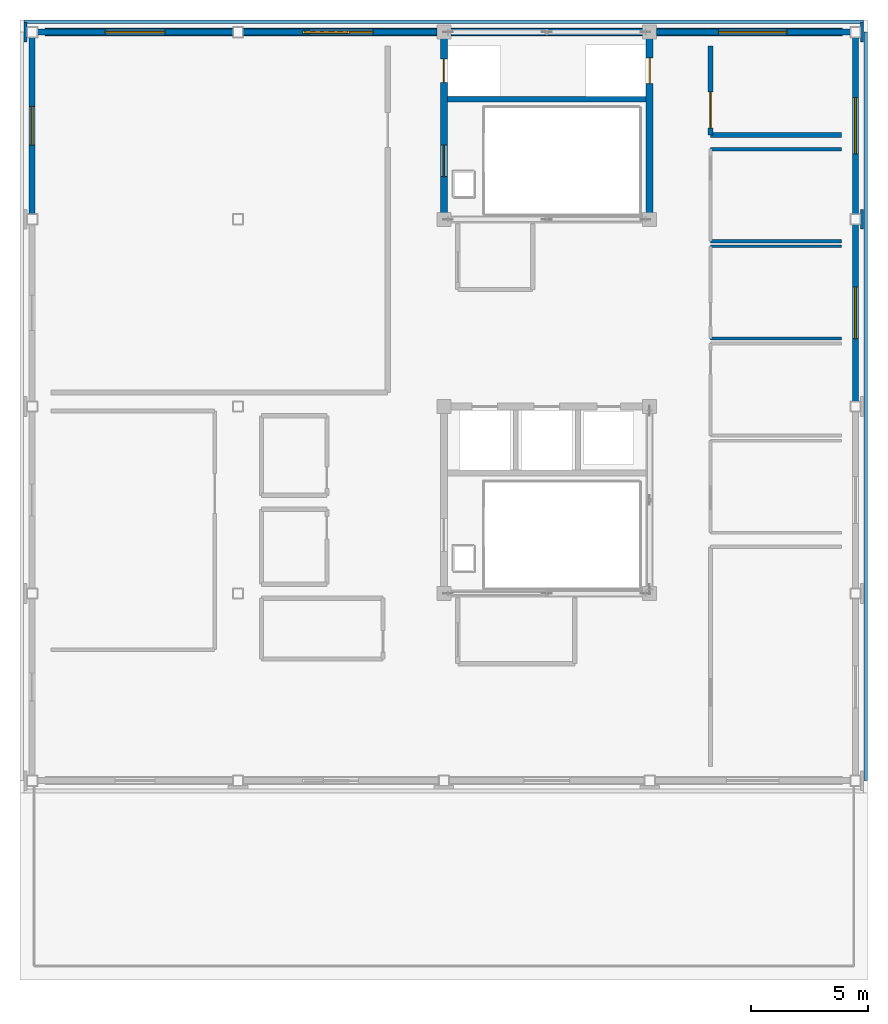
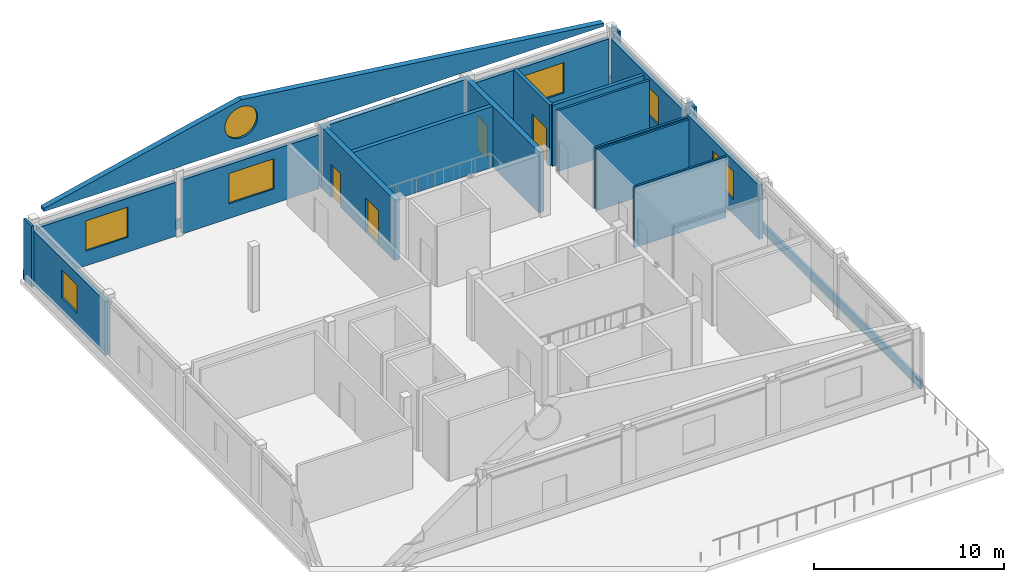
# One storey, part 9 of 10: 22 walls, 7 windows, 4 doors, 11 openings.
"""IFC4 building model written with IfcOpenShell, lengths in metres."""

from ifc_helpers import new_model, si_unit, direction, frame, frame_2d, origin, place, context, subcontext, project, spatial, polyline, rectangle, outline, extrude, material, layer, layer_set, type_object, element, fill, save


model = new_model("IFC4")

# Units and contexts
model_context = context("Model", 3, precision=1e-05, world=origin(), true_north=direction((0.0, 1.0)))
body_context = subcontext(model_context, "Body", "Model", "MODEL_VIEW")
ifc_project = project(units=[si_unit("LENGTHUNIT", "METRE"), si_unit("AREAUNIT", "SQUARE_METRE"), si_unit("VOLUMEUNIT", "CUBIC_METRE"), si_unit("PLANEANGLEUNIT", "RADIAN"), si_unit("MASSUNIT", "GRAM", prefix="KILO")], contexts=[model_context])

# Site, building, storey
site_placement = place(None, origin())
site = spatial("IfcSite", under=ifc_project, at=site_placement, CompositionType="ELEMENT")
building_placement = place(site_placement, origin())
building = spatial("IfcBuilding", under=site, at=building_placement, Name="Zhaolan Boulevard Law Courts", CompositionType="ELEMENT")
storey_placement = place(building_placement, frame((0.0, 0.0, 41.39990234375)))
storey = spatial("IfcBuildingStorey", under=building, at=storey_placement, Name="L09", CompositionType="ELEMENT", Elevation=41.39990234375)

# Wall
ifc_material_1 = material(Name="Concrete C50", Category="concrete")
ifc_layer_1 = layer(ifc_material_1, 0.300048828125)
ifc_layer_set_1 = layer_set([ifc_layer_1])
wall_type_1 = type_object("IfcWallType", Name="CORE SHEAR WALL 300", PredefinedType="SHEAR", material=ifc_layer_set_1)
wall_1_placement = place(storey_placement, frame((26.550048828125, 70.0, 0.0), z_axis=(0.0, 0.0, 1.0), x_axis=(-1.0, 0.0, 0.0)))
element("IfcWall", 1, at=wall_1_placement, inside=storey, type_object=wall_type_1, Name="Core Shear Wall CW-W2-L09N", PredefinedType="SHEAR", context=body_context, shape_type="SweptSolid", body=[
    extrude(rectangle(XDim=9.10009765625, YDim=0.300048828125, at=frame_2d((4.550048828125, 0.0))), origin(), (0.0, 0.0, 1.0), 3.920166015625),
])

# Wall, openings, doors
wall_2_placement = place(storey_placement, frame((17.60009765625, 62.14990234375, 0.0), z_axis=(0.0, 0.0, 1.0), x_axis=(0.0, 1.0, 0.0)))
wall_2 = element("IfcWall", 2, at=wall_2_placement, inside=storey, type_object=wall_type_1, Name="Core Shear Wall CW-W2-L09W", PredefinedType="SHEAR", context=body_context, shape_type="SweptSolid", body=[
    extrude(rectangle(XDim=7.7001953125, YDim=0.300048828125, at=frame_2d((3.85009765625, 0.0))), origin(), (0.0, 0.0, 1.0), 3.920166015625),
])
opening_1_placement = place(wall_2_placement, frame((1.675048828125, 0.0, 0.0)))
opening_1 = element("IfcOpeningElement", 3, at=opening_1_placement, cuts=wall_2, Name="Opening SD-L09-22", PredefinedType="OPENING", context=body_context, shape_type="SweptSolid", body=[
    extrude(rectangle(XDim=1.35009765625, YDim=2.199951171875, at=frame_2d((0.675048828125, 1.10009765625))), frame((0.0, 0.159912109375, 0.0), z_axis=(0.0, -1.0, 0.0), x_axis=(1.0, 0.0, 0.0)), (0.0, 0.0, 1.0), 0.320068359375),
])
opening_2_placement = place(wall_2_placement, frame((5.699951171875, 0.0, 0.0)))
opening_2 = element("IfcOpeningElement", 4, at=opening_2_placement, cuts=wall_2, Name="Opening LD-JL-02-L09", PredefinedType="OPENING", context=body_context, shape_type="SweptSolid", body=[
    extrude(rectangle(XDim=1.0, YDim=2.14990234375, at=frame_2d((0.5, 1.074951171875))), frame((0.0, 0.159912109375, 0.0), z_axis=(0.0, -1.0, 0.0), x_axis=(1.0, 0.0, 0.0)), (0.0, 0.0, 1.0), 0.320068359375),
])
ifc_material_2 = material(Name="Stainless steel sliding landing door", Category="steel")
door_type_1 = type_object("IfcDoorType", Name="LIFT LANDING 1000X2150", OperationType="DOUBLE_DOOR_SLIDING", PredefinedType="DOOR", material=ifc_material_2)
door_1_placement = place(opening_2_placement, origin())
door_1 = element("IfcDoor", 5, at=door_1_placement, inside=storey, type_object=door_type_1, Name="Lift Landing Sliding Door LD-JL-02-L09", OperationType="DOUBLE_DOOR_SLIDING", OverallHeight=2.14990234375, OverallWidth=1.0, PredefinedType="DOOR", context=body_context, shape_type="SweptSolid", body=[
    extrude(rectangle(XDim=1.0, YDim=2.14990234375, at=frame_2d((0.5, 1.074951171875))), frame((0.0, 0.02490234375, 0.0), z_axis=(0.0, -1.0, 0.0), x_axis=(1.0, 0.0, 0.0)), (0.0, 0.0, 1.0), 0.050048828125),
])
fill(opening_2, door_1)
ifc_material_3 = material(Name="Fire-rated steel acoustic door", Category="steel")
door_type_2 = type_object("IfcDoorType", Name="STAIR FIRE 1350X2200 R", OperationType="SINGLE_SWING_RIGHT", PredefinedType="DOOR", material=ifc_material_3)
door_2_placement = place(opening_1_placement, origin())
door_2 = element("IfcDoor", 6, at=door_2_placement, inside=storey, type_object=door_type_2, Name="Smoke-Proof Stairwell Fire Door SD-L09-22", OperationType="SINGLE_SWING_RIGHT", OverallHeight=2.199951171875, OverallWidth=1.35009765625, PredefinedType="DOOR", context=body_context, shape_type="SweptSolid", body=[
    extrude(rectangle(XDim=1.35009765625, YDim=2.199951171875, at=frame_2d((0.675048828125, 1.10009765625))), frame((0.0, 0.02490234375, 0.0), z_axis=(0.0, -1.0, 0.0), x_axis=(1.0, 0.0, 0.0)), (0.0, 0.0, 1.0), 0.050048828125),
])
fill(opening_1, door_2)

# Wall, opening, door
wall_3_placement = place(storey_placement, frame((26.39990234375, 62.14990234375, 0.0), z_axis=(0.0, 0.0, 1.0), x_axis=(0.0, 1.0, 0.0)))
wall_3 = element("IfcWall", 7, at=wall_3_placement, inside=storey, type_object=wall_type_1, Name="Core Shear Wall CW-W2-L09E", PredefinedType="SHEAR", context=body_context, shape_type="SweptSolid", body=[
    extrude(rectangle(XDim=7.7001953125, YDim=0.300048828125, at=frame_2d((3.85009765625, 0.0))), origin(), (0.0, 0.0, 1.0), 3.920166015625),
])
opening_3_placement = place(wall_3_placement, frame((5.64990234375, 0.0, 0.0)))
opening_3 = element("IfcOpeningElement", 8, at=opening_3_placement, cuts=wall_3, Name="Opening LD-FL-03-L09", PredefinedType="OPENING", context=body_context, shape_type="SweptSolid", body=[
    extrude(rectangle(XDim=1.10009765625, YDim=2.14990234375, at=frame_2d((0.550048828125, 1.074951171875))), frame((0.0, 0.159912109375, 0.0), z_axis=(0.0, -1.0, 0.0), x_axis=(1.0, 0.0, 0.0)), (0.0, 0.0, 1.0), 0.320068359375),
])
ifc_material_4 = material(Name="Stainless steel sliding landing door", Category="steel")
door_type_3 = type_object("IfcDoorType", Name="LIFT LANDING 1100X2150", OperationType="DOUBLE_DOOR_SLIDING", PredefinedType="DOOR", material=ifc_material_4)
door_3_placement = place(opening_3_placement, origin())
door_3 = element("IfcDoor", 9, at=door_3_placement, inside=storey, type_object=door_type_3, Name="Lift Landing Sliding Door LD-FL-03-L09", OperationType="DOUBLE_DOOR_SLIDING", OverallHeight=2.14990234375, OverallWidth=1.10009765625, PredefinedType="DOOR", context=body_context, shape_type="SweptSolid", body=[
    extrude(rectangle(XDim=1.10009765625, YDim=2.14990234375, at=frame_2d((0.550048828125, 1.074951171875))), frame((0.0, 0.02490234375, 0.0), z_axis=(0.0, -1.0, 0.0), x_axis=(1.0, 0.0, 0.0)), (0.0, 0.0, 1.0), 0.050048828125),
])
fill(opening_3, door_3)

# Walls
ifc_material_5 = material(Name="Concrete C40", Category="concrete")
ifc_layer_2 = layer(ifc_material_5, 0.139892578125)
ifc_layer_set_2 = layer_set([ifc_layer_2])
wall_type_2 = type_object("IfcWallType", Name="EXT WALL ARCH CLAD140", PredefinedType="SOLIDWALL", material=ifc_layer_set_2)
for number, where, z_axis, x_axis, name in (
    (10, (35.47998046875, 61.580078125, 0.0), (0.0, 0.0, 1.0), (0.0, 1.0, 0.0), "Concrete Column Cloak Pier CPR-209"),
    (11, (-0.280029296875, 69.580078125, 0.0), (0.0, 0.0, 1.0), (0.0, 1.0, 0.0), "Concrete Column Cloak Pier CPR-210"),
    (12, (35.47998046875, 69.580078125, 0.0), (0.0, 0.0, 1.0), (0.0, 1.0, 0.0), "Concrete Column Cloak Pier CPR-211"),
):
    element("IfcWall", number, at=place(storey_placement, frame(where, z_axis=z_axis, x_axis=x_axis)), inside=storey, type_object=wall_type_2, Name=name, PredefinedType="SOLIDWALL", context=body_context, shape_type="SweptSolid", body=[
        extrude(rectangle(XDim=0.83984375, YDim=0.139892578125, at=frame_2d((0.419921875, 0.0))), origin(), (0.0, 0.0, 1.0), 3.940185546875),
    ])
ifc_material_6 = material(Name="Concrete C40", Category="concrete")
ifc_layer_3 = layer(ifc_material_6, 0.159912109375)
ifc_layer_set_3 = layer_set([ifc_layer_3])
wall_type_3 = type_object("IfcWallType", Name="EXT WALL ARCH CLAD160", PredefinedType="SOLIDWALL", material=ifc_layer_set_3)
wall_4_placement = place(storey_placement, frame((35.639892578125, 38.0, 0.0), z_axis=(0.0, 0.0, 1.0), x_axis=(0.0, 1.0, 0.0)))
element("IfcWall", 13, at=wall_4_placement, inside=storey, type_object=wall_type_3, Name="Sculpted Concrete Spandrel Band CBW-199", PredefinedType="SOLIDWALL", context=body_context, shape_type="SweptSolid", body=[
    extrude(rectangle(XDim=32.0, YDim=0.159912109375, at=frame_2d((16.0, 0.0))), origin(), (0.0, 0.0, 1.0), 0.580078125),
])
wall_5_placement = place(storey_placement, frame((35.5400390625, 70.43994140625, 0.0), z_axis=(0.0, 0.0, 1.0), x_axis=(-1.0, 0.0, 0.0)))
element("IfcWall", 14, at=wall_5_placement, inside=storey, type_object=wall_type_3, Name="Sculpted Concrete Spandrel Band CBW-201", PredefinedType="SOLIDWALL", context=body_context, shape_type="SweptSolid", body=[
    extrude(rectangle(XDim=35.880126953125, YDim=0.159912109375, at=frame_2d((17.93994140625, 0.0))), origin(), (0.0, 0.0, 1.0), 0.580078125),
])

# Wall, opening, window
ifc_material_7 = material(Name="Concrete C40", Category="concrete")
ifc_layer_4 = layer(ifc_material_7, 0.260009765625)
ifc_layer_set_4 = layer_set([ifc_layer_4])
wall_type_4 = type_object("IfcWallType", Name="EXT WALL CONCRETE260", PredefinedType="SOLIDWALL", material=ifc_layer_set_4)
wall_6_placement = place(storey_placement, frame((8.5791015625, 70.0, 0.0), z_axis=(0.0, 0.0, 1.0), x_axis=(-1.0, 0.0, 0.0)))
wall_6 = element("IfcWall", 15, at=wall_6_placement, inside=storey, type_object=wall_type_4, Name="Exterior Wall EW-L09-429", PredefinedType="SOLIDWALL", context=body_context, shape_type="SweptSolid", body=[
    extrude(rectangle(XDim=8.358154296875, YDim=0.260009765625, at=frame_2d((4.17919921875, 0.0))), origin(), (0.0, 0.0, 1.0), 3.47314453125),
])
opening_4_placement = place(wall_6_placement, frame((2.904052734375, 0.0, 0.949951171875)))
opening_4 = element("IfcOpeningElement", 16, at=opening_4_placement, cuts=wall_6, Name="Opening WIN-L09-277", PredefinedType="OPENING", context=body_context, shape_type="SweptSolid", body=[
    extrude(rectangle(XDim=2.550048828125, YDim=1.949951171875, at=frame_2d((1.27490234375, 0.97509765625))), frame((0.0, 0.139892578125, 0.0), z_axis=(0.0, -1.0, 0.0), x_axis=(1.0, 0.0, 0.0)), (0.0, 0.0, 1.0), 0.280029296875),
])
ifc_material_8 = material(Name="Thermally broken aluminium and low-E glazing", Category="aluminium")
window_type_1 = type_object("IfcWindowType", Name="WINDOW 2550X1950", PartitioningType="DOUBLE_PANEL_VERTICAL", PredefinedType="WINDOW", material=ifc_material_8)
window_1_placement = place(opening_4_placement, origin())
window_1 = element("IfcWindow", 17, at=window_1_placement, inside=storey, type_object=window_type_1, Name="Exterior Window WIN-L09-277", OverallHeight=1.949951171875, OverallWidth=2.550048828125, PartitioningType="SINGLE_PANEL", PredefinedType="WINDOW", context=body_context, shape_type="SweptSolid", body=[
    extrude(rectangle(XDim=2.550048828125, YDim=1.949951171875, at=frame_2d((1.27490234375, 0.97509765625))), frame((0.0, 0.030029296875, 0.0), z_axis=(0.0, -1.0, 0.0), x_axis=(1.0, 0.0, 0.0)), (0.0, 0.0, 1.0), 0.06005859375),
])
fill(opening_4, window_1)

wall_7_placement = place(storey_placement, frame((17.303955078125, 70.0, 0.0), z_axis=(0.0, 0.0, 1.0), x_axis=(-1.0, 0.0, 0.0)))
wall_7 = element("IfcWall", 18, at=wall_7_placement, inside=storey, type_object=wall_type_4, Name="Exterior Wall EW-L09-430", PredefinedType="SOLIDWALL", context=body_context, shape_type="SweptSolid", body=[
    extrude(rectangle(XDim=8.282958984375, YDim=0.260009765625, at=frame_2d((4.1416015625, 0.0))), origin(), (0.0, 0.0, 1.0), 3.47314453125),
])
opening_5_placement = place(wall_7_placement, frame((2.72900390625, 0.0, 0.949951171875)))
opening_5 = element("IfcOpeningElement", 19, at=opening_5_placement, cuts=wall_7, Name="Opening WIN-L09-278", PredefinedType="OPENING", context=body_context, shape_type="SweptSolid", body=[
    extrude(rectangle(XDim=2.75, YDim=1.949951171875, at=frame_2d((1.375, 0.97509765625))), frame((0.0, 0.139892578125, 0.0), z_axis=(0.0, -1.0, 0.0), x_axis=(1.0, 0.0, 0.0)), (0.0, 0.0, 1.0), 0.280029296875),
])
ifc_material_9 = material(Name="Thermally broken aluminium and low-E glazing", Category="aluminium")
window_type_2 = type_object("IfcWindowType", Name="WINDOW 2750X1950", PartitioningType="DOUBLE_PANEL_VERTICAL", PredefinedType="WINDOW", material=ifc_material_9)
window_2_placement = place(opening_5_placement, origin())
window_2 = element("IfcWindow", 20, at=window_2_placement, inside=storey, type_object=window_type_2, Name="Exterior Window WIN-L09-278", OverallHeight=1.949951171875, OverallWidth=2.75, PartitioningType="SINGLE_PANEL", PredefinedType="WINDOW", context=body_context, shape_type="SweptSolid", body=[
    extrude(rectangle(XDim=2.75, YDim=1.949951171875, at=frame_2d((1.375, 0.97509765625))), frame((0.0, 0.030029296875, 0.0), z_axis=(0.0, -1.0, 0.0), x_axis=(1.0, 0.0, 0.0)), (0.0, 0.0, 1.0), 0.06005859375),
])
fill(opening_5, window_2)

wall_8_placement = place(storey_placement, frame((34.97900390625, 70.0, 0.0), z_axis=(0.0, 0.0, 1.0), x_axis=(-1.0, 0.0, 0.0)))
wall_8 = element("IfcWall", 21, at=wall_8_placement, inside=storey, type_object=wall_type_4, Name="Exterior Wall EW-L09-431", PredefinedType="SOLIDWALL", context=body_context, shape_type="SweptSolid", body=[
    extrude(rectangle(XDim=8.282958984375, YDim=0.260009765625, at=frame_2d((4.1416015625, 0.0))), origin(), (0.0, 0.0, 1.0), 3.47314453125),
])
opening_6_placement = place(wall_8_placement, frame((2.72900390625, 0.0, 0.949951171875)))
opening_6 = element("IfcOpeningElement", 22, at=opening_6_placement, cuts=wall_8, Name="Opening WIN-L09-279", PredefinedType="OPENING", context=body_context, shape_type="SweptSolid", body=[
    extrude(rectangle(XDim=2.89990234375, YDim=1.949951171875, at=frame_2d((1.449951171875, 0.97509765625))), frame((0.0, 0.139892578125, 0.0), z_axis=(0.0, -1.0, 0.0), x_axis=(1.0, 0.0, 0.0)), (0.0, 0.0, 1.0), 0.280029296875),
])
ifc_material_10 = material(Name="Thermally broken aluminium and low-E glazing", Category="aluminium")
window_type_3 = type_object("IfcWindowType", Name="WINDOW 2900X1950", PartitioningType="DOUBLE_PANEL_VERTICAL", PredefinedType="WINDOW", material=ifc_material_10)
window_3_placement = place(opening_6_placement, origin())
window_3 = element("IfcWindow", 23, at=window_3_placement, inside=storey, type_object=window_type_3, Name="Exterior Window WIN-L09-279", OverallHeight=1.949951171875, OverallWidth=2.89990234375, PartitioningType="SINGLE_PANEL", PredefinedType="WINDOW", context=body_context, shape_type="SweptSolid", body=[
    extrude(rectangle(XDim=2.89990234375, YDim=1.949951171875, at=frame_2d((1.449951171875, 0.97509765625))), frame((0.0, 0.030029296875, 0.0), z_axis=(0.0, -1.0, 0.0), x_axis=(1.0, 0.0, 0.0)), (0.0, 0.0, 1.0), 0.06005859375),
])
fill(opening_6, window_3)

wall_9_placement = place(storey_placement, frame((0.0, 69.779052734375, 0.0), z_axis=(0.0, 0.0, 1.0), x_axis=(0.0, -1.0, 0.0)))
wall_9 = element("IfcWall", 24, at=wall_9_placement, inside=storey, type_object=wall_type_4, Name="Exterior Wall EW-L09-435", PredefinedType="SOLIDWALL", context=body_context, shape_type="SweptSolid", body=[
    extrude(rectangle(XDim=7.55810546875, YDim=0.260009765625, at=frame_2d((3.779052734375, 0.0))), origin(), (0.0, 0.0, 1.0), 3.47314453125),
])
opening_7_placement = place(wall_9_placement, frame((2.9541015625, 0.0, 0.949951171875)))
opening_7 = element("IfcOpeningElement", 25, at=opening_7_placement, cuts=wall_9, Name="Opening WIN-L09-283", PredefinedType="OPENING", context=body_context, shape_type="SweptSolid", body=[
    extrude(rectangle(XDim=1.64990234375, YDim=1.800048828125, at=frame_2d((0.824951171875, 0.89990234375))), frame((0.0, 0.139892578125, 0.0), z_axis=(0.0, -1.0, 0.0), x_axis=(1.0, 0.0, 0.0)), (0.0, 0.0, 1.0), 0.280029296875),
])
ifc_material_11 = material(Name="Thermally broken aluminium and low-E glazing", Category="aluminium")
window_type_4 = type_object("IfcWindowType", Name="WINDOW 1650X1800", PartitioningType="SINGLE_PANEL", PredefinedType="WINDOW", material=ifc_material_11)
window_4_placement = place(opening_7_placement, origin())
window_4 = element("IfcWindow", 26, at=window_4_placement, inside=storey, type_object=window_type_4, Name="Exterior Window WIN-L09-283", OverallHeight=1.800048828125, OverallWidth=1.64990234375, PartitioningType="SINGLE_PANEL", PredefinedType="WINDOW", context=body_context, shape_type="SweptSolid", body=[
    extrude(rectangle(XDim=1.64990234375, YDim=1.800048828125, at=frame_2d((0.824951171875, 0.89990234375))), frame((0.0, 0.030029296875, 0.0), z_axis=(0.0, -1.0, 0.0), x_axis=(1.0, 0.0, 0.0)), (0.0, 0.0, 1.0), 0.06005859375),
])
fill(opening_7, window_4)

wall_10_placement = place(storey_placement, frame((35.199951171875, 54.220947265625, 0.0), z_axis=(0.0, 0.0, 1.0), x_axis=(0.0, 1.0, 0.0)))
wall_10 = element("IfcWall", 27, at=wall_10_placement, inside=storey, type_object=wall_type_4, Name="Exterior Wall EW-L09-438", PredefinedType="SOLIDWALL", context=body_context, shape_type="SweptSolid", body=[
    extrude(rectangle(XDim=7.55810546875, YDim=0.260009765625, at=frame_2d((3.779052734375, 0.0))), origin(), (0.0, 0.0, 1.0), 3.47314453125),
])
opening_8_placement = place(wall_10_placement, frame((2.678955078125, 0.0, 0.949951171875)))
opening_8 = element("IfcOpeningElement", 28, at=opening_8_placement, cuts=wall_10, Name="Opening WIN-L09-286", PredefinedType="OPENING", context=body_context, shape_type="SweptSolid", body=[
    extrude(rectangle(XDim=2.199951171875, YDim=1.800048828125, at=frame_2d((1.10009765625, 0.89990234375))), frame((0.0, 0.139892578125, 0.0), z_axis=(0.0, -1.0, 0.0), x_axis=(1.0, 0.0, 0.0)), (0.0, 0.0, 1.0), 0.280029296875),
])
ifc_material_12 = material(Name="Thermally broken aluminium and low-E glazing", Category="aluminium")
window_type_5 = type_object("IfcWindowType", Name="WINDOW 2200X1800", PartitioningType="DOUBLE_PANEL_VERTICAL", PredefinedType="WINDOW", material=ifc_material_12)
window_5_placement = place(opening_8_placement, origin())
window_5 = element("IfcWindow", 29, at=window_5_placement, inside=storey, type_object=window_type_5, Name="Exterior Window WIN-L09-286", OverallHeight=1.800048828125, OverallWidth=2.199951171875, PartitioningType="SINGLE_PANEL", PredefinedType="WINDOW", context=body_context, shape_type="SweptSolid", body=[
    extrude(rectangle(XDim=2.199951171875, YDim=1.800048828125, at=frame_2d((1.10009765625, 0.89990234375))), frame((0.0, 0.030029296875, 0.0), z_axis=(0.0, -1.0, 0.0), x_axis=(1.0, 0.0, 0.0)), (0.0, 0.0, 1.0), 0.06005859375),
])
fill(opening_8, window_5)

wall_11_placement = place(storey_placement, frame((35.199951171875, 62.220947265625, 0.0), z_axis=(0.0, 0.0, 1.0), x_axis=(0.0, 1.0, 0.0)))
wall_11 = element("IfcWall", 30, at=wall_11_placement, inside=storey, type_object=wall_type_4, Name="Exterior Wall EW-L09-439", PredefinedType="SOLIDWALL", context=body_context, shape_type="SweptSolid", body=[
    extrude(rectangle(XDim=7.55810546875, YDim=0.260009765625, at=frame_2d((3.779052734375, 0.0))), origin(), (0.0, 0.0, 1.0), 3.47314453125),
])
opening_9_placement = place(wall_11_placement, frame((2.5791015625, 0.0, 0.949951171875)))
opening_9 = element("IfcOpeningElement", 31, at=opening_9_placement, cuts=wall_11, Name="Opening WIN-L09-287", PredefinedType="OPENING", context=body_context, shape_type="SweptSolid", body=[
    extrude(rectangle(XDim=2.39990234375, YDim=1.800048828125, at=frame_2d((1.199951171875, 0.89990234375))), frame((0.0, 0.139892578125, 0.0), z_axis=(0.0, -1.0, 0.0), x_axis=(1.0, 0.0, 0.0)), (0.0, 0.0, 1.0), 0.280029296875),
])
ifc_material_13 = material(Name="Thermally broken aluminium and low-E glazing", Category="aluminium")
window_type_6 = type_object("IfcWindowType", Name="WINDOW 2400X1800", PartitioningType="DOUBLE_PANEL_VERTICAL", PredefinedType="WINDOW", material=ifc_material_13)
window_6_placement = place(opening_9_placement, origin())
window_6 = element("IfcWindow", 32, at=window_6_placement, inside=storey, type_object=window_type_6, Name="Exterior Window WIN-L09-287", OverallHeight=1.800048828125, OverallWidth=2.39990234375, PartitioningType="SINGLE_PANEL", PredefinedType="WINDOW", context=body_context, shape_type="SweptSolid", body=[
    extrude(rectangle(XDim=2.39990234375, YDim=1.800048828125, at=frame_2d((1.199951171875, 0.89990234375))), frame((0.0, 0.030029296875, 0.0), z_axis=(0.0, -1.0, 0.0), x_axis=(1.0, 0.0, 0.0)), (0.0, 0.0, 1.0), 0.06005859375),
])
fill(opening_9, window_6)

ifc_material_14 = material(Name="Concrete C40", Category="concrete")
ifc_layer_5 = layer(ifc_material_14, 0.340087890625)
ifc_layer_set_5 = layer_set([ifc_layer_5])
wall_type_5 = type_object("IfcWallType", Name="EXT WALL GABLE340", PredefinedType="SOLIDWALL", material=ifc_layer_set_5)
wall_12_placement = place(storey_placement, frame((34.64990234375, 70.0, 4.420166015625), z_axis=(0.0, 0.0, 1.0), x_axis=(-1.0, 0.0, 0.0)))
wall_12 = element("IfcWall", 33, at=wall_12_placement, inside=storey, type_object=wall_type_5, Name="Sculpted Concrete Gable Wall GW-CRNN", PredefinedType="SOLIDWALL", context=body_context, shape_type="SweptSolid", body=[
    extrude(outline(polyline([(0.0, 0.0), (34.099853515625, 0.0), (34.10009765625, 0.199951171875), (22.0869140625, 3.0), (0.0, 0.199951171875), (0.0, 0.0)])), frame((0.0, 0.169921875, 0.0), z_axis=(0.0, -1.0, 0.0), x_axis=(1.0, 0.0, 0.0)), (0.0, 0.0, 1.0), 0.340087890625),
])
opening_10_placement = place(wall_12_placement, frame((21.0869140625, 0.0, 0.550048828125)))
opening_10 = element("IfcOpeningElement", 34, at=opening_10_placement, cuts=wall_12, Name="Opening OC-CRNN", PredefinedType="OPENING", context=body_context, shape_type="SweptSolid", body=[
    extrude(outline(polyline([(2.0, 1.0), (1.98486328125, 1.173583984375), (1.939697265625, 1.342041015625), (1.865966796875, 1.5), (1.76611328125, 1.642822265625), (1.642822265625, 1.76611328125), (1.5, 1.865966796875), (1.342041015625, 1.939697265625), (1.173583984375, 1.98486328125), (1.0, 2.0), (0.826416015625, 1.98486328125), (0.657958984375, 1.939697265625), (0.5, 1.865966796875), (0.357177734375, 1.76611328125), (0.23388671875, 1.642822265625), (0.134033203125, 1.5), (0.060302734375, 1.342041015625), (0.01513671875, 1.173583984375), (0.0, 1.0), (0.01513671875, 0.826416015625), (0.060302734375, 0.657958984375), (0.134033203125, 0.5), (0.23388671875, 0.357177734375), (0.357177734375, 0.23388671875), (0.5, 0.134033203125), (0.657958984375, 0.060302734375), (0.826416015625, 0.01513671875), (1.0, 0.0), (1.173583984375, 0.01513671875), (1.342041015625, 0.060302734375), (1.5, 0.134033203125), (1.642822265625, 0.23388671875), (1.76611328125, 0.357177734375), (1.865966796875, 0.5), (1.939697265625, 0.657958984375), (1.98486328125, 0.826416015625), (2.0, 1.0)])), frame((0.0, 0.179931640625, 0.0), z_axis=(0.0, -1.0, 0.0), x_axis=(1.0, 0.0, 0.0)), (0.0, 0.0, 1.0), 0.360107421875),
])
ifc_material_15 = material(Name="Thermally broken aluminium and laminated low-E glass", Category="aluminium")
window_type_7 = type_object("IfcWindowType", Name="OCULUS WINDOW D2000", PartitioningType="SINGLE_PANEL", PredefinedType="WINDOW", material=ifc_material_15)
window_7_placement = place(opening_10_placement, origin())
window_7 = element("IfcWindow", 35, at=window_7_placement, inside=storey, type_object=window_type_7, Name="Circular Gable Oculus Window OC-CRNN", OverallHeight=2.0, OverallWidth=2.0, PartitioningType="SINGLE_PANEL", PredefinedType="WINDOW", context=body_context, shape_type="SweptSolid", body=[
    extrude(outline(polyline([(2.0, 1.0), (1.98486328125, 1.173583984375), (1.939697265625, 1.342041015625), (1.865966796875, 1.5), (1.76611328125, 1.642822265625), (1.642822265625, 1.76611328125), (1.5, 1.865966796875), (1.342041015625, 1.939697265625), (1.173583984375, 1.98486328125), (1.0, 2.0), (0.826416015625, 1.98486328125), (0.657958984375, 1.939697265625), (0.5, 1.865966796875), (0.357177734375, 1.76611328125), (0.23388671875, 1.642822265625), (0.134033203125, 1.5), (0.060302734375, 1.342041015625), (0.01513671875, 1.173583984375), (0.0, 1.0), (0.01513671875, 0.826416015625), (0.060302734375, 0.657958984375), (0.134033203125, 0.5), (0.23388671875, 0.357177734375), (0.357177734375, 0.23388671875), (0.5, 0.134033203125), (0.657958984375, 0.060302734375), (0.826416015625, 0.01513671875), (1.0, 0.0), (1.173583984375, 0.01513671875), (1.342041015625, 0.060302734375), (1.5, 0.134033203125), (1.642822265625, 0.23388671875), (1.76611328125, 0.357177734375), (1.865966796875, 0.5), (1.939697265625, 0.657958984375), (1.98486328125, 0.826416015625), (2.0, 1.0)])), frame((0.0, 0.0400390625, 0.0), z_axis=(0.0, -1.0, 0.0), x_axis=(1.0, 0.0, 0.0)), (0.0, 0.0, 1.0), 0.080078125),
])
fill(opening_10, window_7)

# Walls
ifc_material_16 = material(Name="Concrete C50", Category="concrete")
ifc_layer_6 = layer(ifc_material_16, 0.239990234375)
ifc_layer_set_6 = layer_set([ifc_layer_6])
wall_type_6 = type_object("IfcWallType", Name="LIFT SHAFT WALL 240", PredefinedType="SHEAR", material=ifc_layer_set_6)
wall_13_placement = place(storey_placement, frame((17.75, 67.1298828125, 0.0), z_axis=(0.0, 0.0, 1.0), x_axis=(1.0, 0.0, 0.0)))
element("IfcWall", 36, at=wall_13_placement, inside=storey, type_object=wall_type_6, Name="Lift Shaft Enclosure Wall W2 (L09)", PredefinedType="SHEAR", context=body_context, shape_type="SweptSolid", body=[
    extrude(rectangle(XDim=8.5, YDim=0.239990234375, at=frame_2d((4.25, 0.0))), origin(), (0.0, 0.0, 1.0), 3.920166015625),
])
ifc_material_17 = material(Name="Concrete C40", Category="concrete")
ifc_layer_7 = layer(ifc_material_17, 0.2099609375)
ifc_layer_set_7 = layer_set([ifc_layer_7])
wall_type_7 = type_object("IfcWallType", Name="PART WALL CUSTODY210", PredefinedType="PARTITIONING", material=ifc_layer_set_7)
wall_14_placement = place(storey_placement, frame((29.0, 65.60009765625, 0.0), z_axis=(0.0, 0.0, 1.0), x_axis=(1.0, 0.0, 0.0)))
element("IfcWall", 37, at=wall_14_placement, inside=storey, type_object=wall_type_7, Name="Interior Partition PW-L09-746", PredefinedType="PARTITIONING", context=body_context, shape_type="SweptSolid", body=[
    extrude(rectangle(XDim=5.60009765625, YDim=0.2099609375, at=frame_2d((2.800048828125, 0.0))), origin(), (0.0, 0.0, 1.0), 3.920166015625),
])

# Wall, opening, door
wall_15_placement = place(storey_placement, frame((29.0, 69.39990234375, 0.0), z_axis=(0.0, 0.0, 1.0), x_axis=(0.0, -1.0, 0.0)))
wall_15 = element("IfcWall", 38, at=wall_15_placement, inside=storey, type_object=wall_type_7, Name="Interior Partition PW-L09-747", PredefinedType="PARTITIONING", context=body_context, shape_type="SweptSolid", body=[
    extrude(rectangle(XDim=3.7998046875, YDim=0.2099609375, at=frame_2d((1.89990234375, 0.0))), origin(), (0.0, 0.0, 1.0), 3.920166015625),
])
opening_11_placement = place(wall_15_placement, frame((1.949951171875, 0.0, 0.0)))
opening_11 = element("IfcOpeningElement", 39, at=opening_11_placement, cuts=wall_15, Name="Opening PD-L09-233", PredefinedType="OPENING", context=body_context, shape_type="SweptSolid", body=[
    extrude(rectangle(XDim=1.550048828125, YDim=2.25, at=frame_2d((0.77490234375, 1.125))), frame((0.0, 0.114990234375, 0.0), z_axis=(0.0, -1.0, 0.0), x_axis=(1.0, 0.0, 0.0)), (0.0, 0.0, 1.0), 0.22998046875),
])
ifc_material_18 = material(Name="Fire-rated steel acoustic door", Category="steel")
door_type_4 = type_object("IfcDoorType", Name="PLANT DOOR 1550X2250", OperationType="DOUBLE_DOOR_SINGLE_SWING", PredefinedType="DOOR", material=ifc_material_18)
door_4_placement = place(opening_11_placement, origin())
door_4 = element("IfcDoor", 40, at=door_4_placement, inside=storey, type_object=door_type_4, Name="Door PD-L09-233 (Plant Smoke Exhaust and Acoustic Fan Room)", OperationType="DOUBLE_DOOR_SINGLE_SWING", OverallHeight=2.25, OverallWidth=1.550048828125, PredefinedType="DOOR", context=body_context, shape_type="SweptSolid", body=[
    extrude(rectangle(XDim=1.550048828125, YDim=2.25, at=frame_2d((0.77490234375, 1.125))), frame((0.0, 0.02490234375, 0.0), z_axis=(0.0, -1.0, 0.0), x_axis=(1.0, 0.0, 0.0)), (0.0, 0.0, 1.0), 0.050048828125),
])
fill(opening_11, door_4)

# Walls
ifc_material_19 = material(Name="Gypsum board stud partition")
ifc_layer_8 = layer(ifc_material_19, 0.1201171875)
ifc_layer_set_8 = layer_set([ifc_layer_8])
wall_type_8 = type_object("IfcWallType", Name="PART WALL LIGHT120", PredefinedType="PARTITIONING", material=ifc_layer_set_8)
for number, where, z_axis, x_axis, name in (
    (41, (29.0, 56.909912109375, 0.0), (0.0, 0.0, 1.0), (1.0, 0.0, 0.0), "Interior Partition PW-L09-740"),
    (42, (34.60009765625, 60.844970703125, 0.0), (0.0, 0.0, 1.0), (-1.0, 0.0, 0.0), "Interior Partition PW-L09-741"),
):
    element("IfcWall", number, at=place(storey_placement, frame(where, z_axis=z_axis, x_axis=x_axis)), inside=storey, type_object=wall_type_8, Name=name, PredefinedType="PARTITIONING", context=body_context, shape_type="SweptSolid", body=[
        extrude(rectangle(XDim=5.60009765625, YDim=0.1201171875, at=frame_2d((2.800048828125, 0.0))), origin(), (0.0, 0.0, 1.0), 3.920166015625),
    ])
ifc_material_20 = material(Name="Fire-rated gypsum stud partition")
ifc_layer_9 = layer(ifc_material_20, 0.139892578125)
ifc_layer_set_9 = layer_set([ifc_layer_9])
wall_type_9 = type_object("IfcWallType", Name="PART WALL OFFICE140", PredefinedType="PARTITIONING", material=ifc_layer_set_9)
for number, where, z_axis, x_axis, name in (
    (43, (29.0, 61.06494140625, 0.0), (0.0, 0.0, 1.0), (1.0, 0.0, 0.0), "Interior Partition PW-L09-743"),
    (44, (34.60009765625, 65.0, 0.0), (0.0, 0.0, 1.0), (-1.0, 0.0, 0.0), "Interior Partition PW-L09-744"),
):
    element("IfcWall", number, at=place(storey_placement, frame(where, z_axis=z_axis, x_axis=x_axis)), inside=storey, type_object=wall_type_9, Name=name, PredefinedType="PARTITIONING", context=body_context, shape_type="SweptSolid", body=[
        extrude(rectangle(XDim=5.60009765625, YDim=0.139892578125, at=frame_2d((2.800048828125, 0.0))), origin(), (0.0, 0.0, 1.0), 3.920166015625),
    ])

save(model, "model.ifc")
